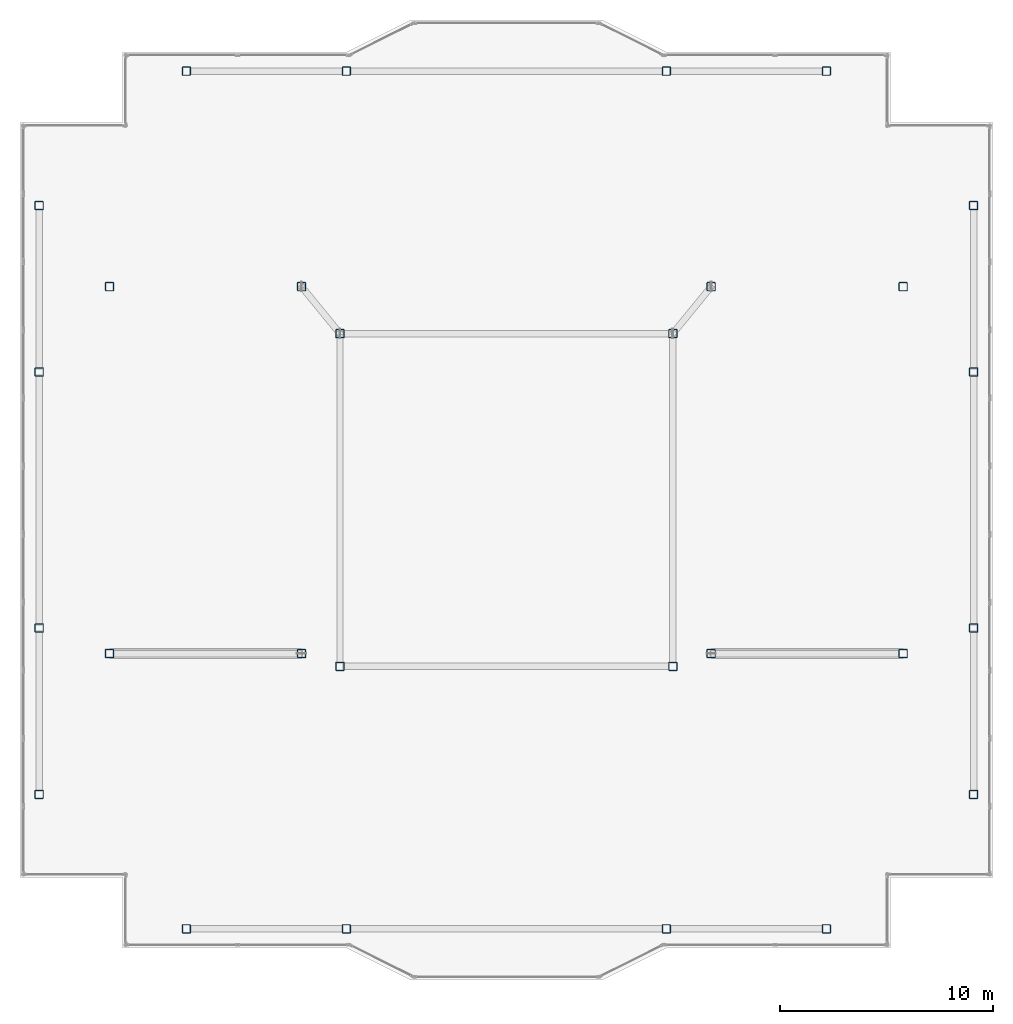
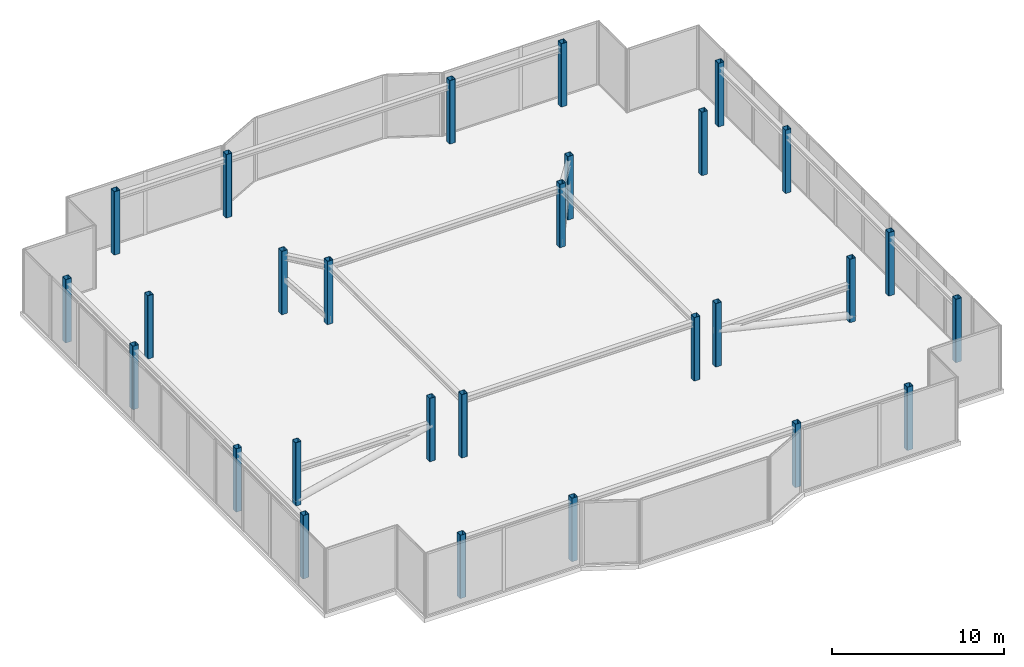
# One storey, part 1 of 14: 28 columns.
"""IFC4 building model written with IfcOpenShell, lengths in metres."""

from ifc_helpers import new_model, si_unit, direction, frame, origin, origin_2d, place, context, subcontext, project, spatial, hollow_rectangle, extrude, material, material_profile, profile_set, type_object, element, save


model = new_model("IFC4")

# Units and contexts
model_context = context("Model", 3, precision=1e-05, world=origin(), true_north=direction((0.0, 1.0)))
body_context = subcontext(model_context, "Body", "Model", "MODEL_VIEW")
ifc_project = project(units=[si_unit("LENGTHUNIT", "METRE"), si_unit("AREAUNIT", "SQUARE_METRE"), si_unit("VOLUMEUNIT", "CUBIC_METRE"), si_unit("PLANEANGLEUNIT", "RADIAN"), si_unit("MASSUNIT", "GRAM", prefix="KILO")], contexts=[model_context])

# Site, building, storey
site_placement = place(None, origin())
site = spatial("IfcSite", under=ifc_project, at=site_placement, CompositionType="ELEMENT")
building_placement = place(site_placement, origin())
building = spatial("IfcBuilding", under=site, at=building_placement, Name="Tarnavaz Court Tower", CompositionType="ELEMENT")
storey_placement = place(building_placement, frame((0.0, 0.0, 286.050048828125)))
storey = spatial("IfcBuildingStorey", under=building, at=storey_placement, Name="C02", CompositionType="ELEMENT", Elevation=286.050048828125)

# Columns
ifc_material = material(Name="Steel S355", Category="steel")
ifc_material_profile = material_profile(ifc_material, hollow_rectangle(XDim=0.39990234375, YDim=0.39990234375, WallThickness=0.02001953125, InnerFilletRadius=0.02001953125, OuterFilletRadius=0.0400390625, at=origin_2d()), Name="SHS 400X400X20")
ifc_profile_set = profile_set([ifc_material_profile], Name="Steel S355")
column_type = type_object("IfcColumnType", Name="CL-CR-SHS300", PredefinedType="USERDEFINED", material=ifc_profile_set)
for number, where, z_axis, x_axis, name in (
    (1, (-7.800048828125, -7.800048828125, 0.0), (0.0, 0.0, 1.0), (1.0, 0.0, 0.0), "C02 Column IW-SW"),
    (2, (7.800048828125, -7.800048828125, 0.0), (0.0, 0.0, 1.0), (1.0, 0.0, 0.0), "C02 Column IW-SE"),
    (3, (-7.800048828125, 7.800048828125, 0.0), (0.0, 0.0, 1.0), (1.0, 0.0, 0.0), "C02 Column IW-NW"),
    (4, (7.800048828125, 7.800048828125, 0.0), (0.0, 0.0, 1.0), (1.0, 0.0, 0.0), "C02 Column IW-NE"),
    (5, (-9.60009765625, -7.199951171875, 0.0), (0.0, 0.0, 1.0), (1.0, 0.0, 0.0), "C02 Column CW-SI"),
    (6, (-9.60009765625, 10.0, 0.0), (0.0, 0.0, 1.0), (1.0, 0.0, 0.0), "C02 Column CW-NI"),
    (7, (9.60009765625, -7.199951171875, 0.0), (0.0, 0.0, 1.0), (1.0, 0.0, 0.0), "C02 Column CE-SI"),
    (8, (9.60009765625, 10.0, 0.0), (0.0, 0.0, 1.0), (1.0, 0.0, 0.0), "C02 Column CE-NI"),
    (9, (-18.60009765625, -7.199951171875, 0.0), (0.0, 0.0, 1.0), (1.0, 0.0, 0.0), "C02 Column CW-SO"),
    (10, (-18.60009765625, 10.0, 0.0), (0.0, 0.0, 1.0), (1.0, 0.0, 0.0), "C02 Column CW-NO"),
    (11, (18.60009765625, -7.199951171875, 0.0), (0.0, 0.0, 1.0), (1.0, 0.0, 0.0), "C02 Column CE-SO"),
    (12, (18.60009765625, 10.0, 0.0), (0.0, 0.0, 1.0), (1.0, 0.0, 0.0), "C02 Column CE-NO"),
    (13, (-15.0, 20.10009765625, 0.0), (0.0, 0.0, 1.0), (1.0, 0.0, 0.0), "C02 Column PN-1"),
    (14, (-7.5, 20.10009765625, 0.0), (0.0, 0.0, 1.0), (1.0, 0.0, 0.0), "C02 Column PN-2"),
    (15, (7.5, 20.10009765625, 0.0), (0.0, 0.0, 1.0), (1.0, 0.0, 0.0), "C02 Column PN-3"),
    (16, (15.0, 20.10009765625, 0.0), (0.0, 0.0, 1.0), (1.0, 0.0, 0.0), "C02 Column PN-4"),
    (17, (-15.0, -20.10009765625, 0.0), (0.0, 0.0, 1.0), (1.0, 0.0, 0.0), "C02 Column PS-1"),
    (18, (-7.5, -20.10009765625, 0.0), (0.0, 0.0, 1.0), (1.0, 0.0, 0.0), "C02 Column PS-2"),
    (19, (7.5, -20.10009765625, 0.0), (0.0, 0.0, 1.0), (1.0, 0.0, 0.0), "C02 Column PS-3"),
    (20, (15.0, -20.10009765625, 0.0), (0.0, 0.0, 1.0), (1.0, 0.0, 0.0), "C02 Column PS-4"),
    (21, (21.89990234375, -13.800048828125, 0.0), (0.0, 0.0, 1.0), (1.0, 0.0, 0.0), "C02 Column PE-1"),
    (22, (21.89990234375, -6.0, 0.0), (0.0, 0.0, 1.0), (1.0, 0.0, 0.0), "C02 Column PE-2"),
    (23, (21.89990234375, 6.0, 0.0), (0.0, 0.0, 1.0), (1.0, 0.0, 0.0), "C02 Column PE-3"),
    (24, (21.89990234375, 13.800048828125, 0.0), (0.0, 0.0, 1.0), (1.0, 0.0, 0.0), "C02 Column PE-4"),
    (25, (-21.89990234375, -13.800048828125, 0.0), (0.0, 0.0, 1.0), (1.0, 0.0, 0.0), "C02 Column PW-1"),
    (26, (-21.89990234375, -6.0, 0.0), (0.0, 0.0, 1.0), (1.0, 0.0, 0.0), "C02 Column PW-2"),
    (27, (-21.89990234375, 6.0, 0.0), (0.0, 0.0, 1.0), (1.0, 0.0, 0.0), "C02 Column PW-3"),
    (28, (-21.89990234375, 13.800048828125, 0.0), (0.0, 0.0, 1.0), (1.0, 0.0, 0.0), "C02 Column PW-4"),
):
    element("IfcColumn", number, at=place(storey_placement, frame(where, z_axis=z_axis, x_axis=x_axis)), inside=storey, type_object=column_type, Name=name, ObjectType="CROWN FRAME", PredefinedType="USERDEFINED", context=body_context, shape_type="SweptSolid", body=[
        extrude(hollow_rectangle(XDim=0.39990234375, YDim=0.39990234375, WallThickness=0.02001953125, InnerFilletRadius=0.02001953125, OuterFilletRadius=0.0400390625, at=origin_2d()), origin(), (0.0, 0.0, 1.0), 4.5),
    ])

save(model, "model.ifc")
